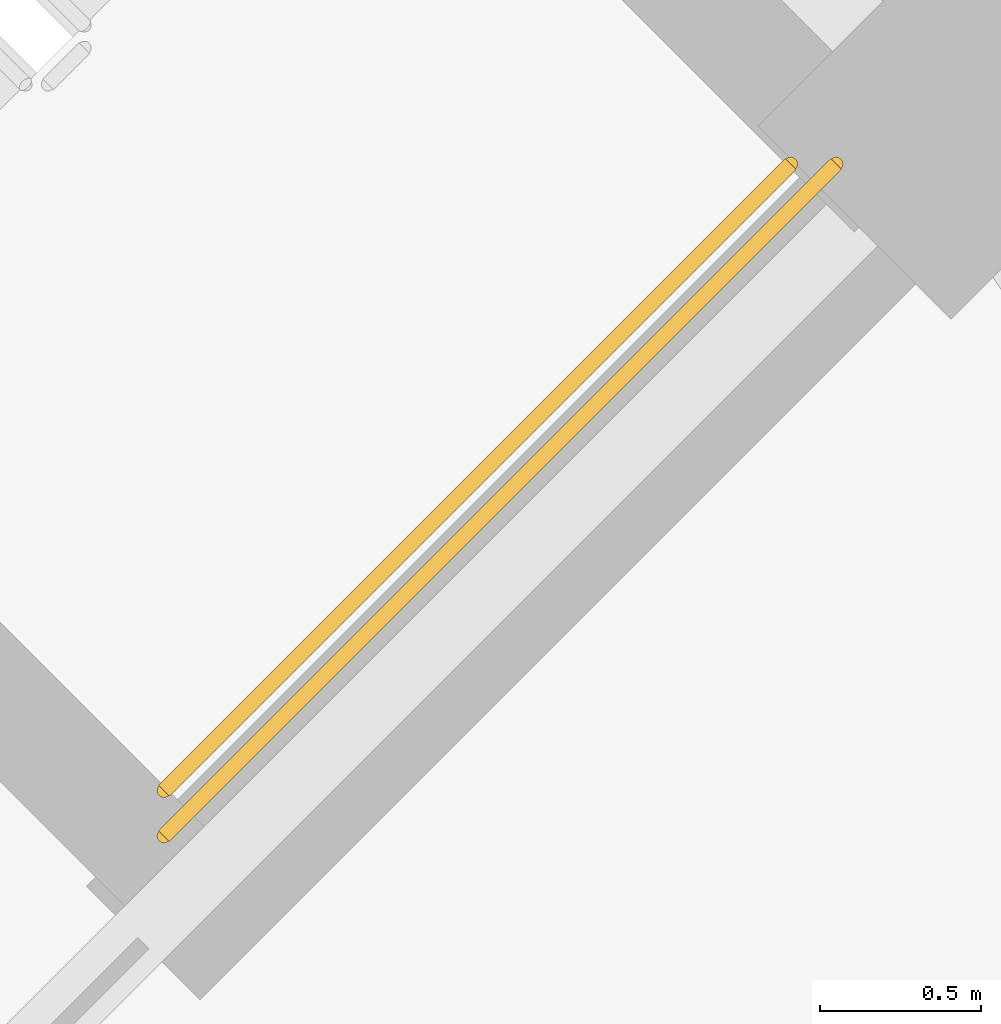
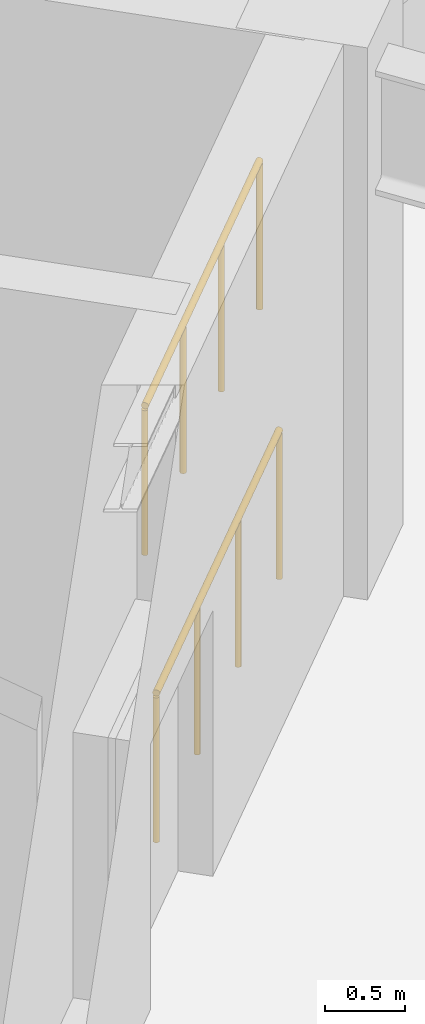
# One storey, part 20 of 20: 2 railings.
"""IFC4 building model written with IfcOpenShell, lengths in metres."""

from ifc_helpers import new_model, si_unit, direction, frame, origin, origin_2d, place, context, subcontext, project, spatial, circle, extrude, material, type_object, element, save


model = new_model("IFC4")

# Units and contexts
model_context = context("Model", 3, precision=1e-05, world=origin(), true_north=direction((0.0, 1.0)))
body_context = subcontext(model_context, "Body", "Model", "MODEL_VIEW")
ifc_project = project(units=[si_unit("LENGTHUNIT", "METRE"), si_unit("AREAUNIT", "SQUARE_METRE"), si_unit("VOLUMEUNIT", "CUBIC_METRE"), si_unit("PLANEANGLEUNIT", "RADIAN"), si_unit("MASSUNIT", "GRAM", prefix="KILO")], contexts=[model_context])

# Site, building, storey
site_placement = place(None, origin())
site = spatial("IfcSite", under=ifc_project, at=site_placement, CompositionType="ELEMENT")
building_placement = place(site_placement, origin())
building = spatial("IfcBuilding", under=site, at=building_placement, Name="Cununo Teusaquillo Station Towers", CompositionType="ELEMENT")
storey_placement = place(building_placement, frame((0.0, 0.0, 4.800048828125)))
storey = spatial("IfcBuildingStorey", under=building, at=storey_placement, Name="L01", CompositionType="ELEMENT", Elevation=4.800048828125)

# Railings
ifc_material = material(Name="Steel EN 10025-2 S355J2", Category="steel")
railing_type = type_object("IfcRailingType", Name="RL-INT-GUARD", PredefinedType="GUARDRAIL", material=ifc_material)
railing_1_placement = place(storey_placement, frame((63.573974609375, 21.22607421875, 2.099853515625)))
element("IfcRailing", 1, at=railing_1_placement, inside=storey, type_object=railing_type, Name="L01 ST-T2-2 stair guard 3", PredefinedType="GUARDRAIL", context=body_context, shape_type="SweptSolid", body=[
    extrude(circle(Radius=0.02392578125, at=origin_2d()), frame((0.0, 0.0, 1.1259765625), z_axis=(0.707106781187, 0.707106781187, 0.0), x_axis=(-0.707106781187, 0.707106781187, 0.0)), (0.0, 0.0, 1.0), 2.760009765625),
    extrude(circle(Radius=0.02099609375, at=origin_2d()), origin(), (0.0, 0.0, 1.0), 1.101806640625),
    extrude(circle(Radius=0.02099609375, at=origin_2d()), frame((0.650634765625, 0.650634765625, 0.0)), (0.0, 0.0, 1.0), 1.101806640625),
    extrude(circle(Radius=0.02099609375, at=origin_2d()), frame((1.301025390625, 1.301025390625, 0.0)), (0.0, 0.0, 1.0), 1.101806640625),
    extrude(circle(Radius=0.02099609375, at=origin_2d()), frame((1.95166015625, 1.95166015625, 0.0)), (0.0, 0.0, 1.0), 1.101806640625),
])
railing_2_placement = place(storey_placement, frame((63.573974609375, 21.084716796875, 0.0)))
element("IfcRailing", 2, at=railing_2_placement, inside=storey, type_object=railing_type, Name="L01 ST-T2-2 stair guard 6", PredefinedType="GUARDRAIL", context=body_context, shape_type="SweptSolid", body=[
    extrude(circle(Radius=0.02392578125, at=origin_2d()), frame((0.0, 0.0, 1.1259765625), z_axis=(0.707106781187, 0.707106781187, 0.0), x_axis=(-0.707106781187, 0.707106781187, 0.0)), (0.0, 0.0, 1.0), 2.9599609375),
    extrude(circle(Radius=0.02099609375, at=origin_2d()), origin(), (0.0, 0.0, 1.0), 1.101806640625),
    extrude(circle(Radius=0.02099609375, at=origin_2d()), frame((0.69775390625, 0.69775390625, 0.0)), (0.0, 0.0, 1.0), 1.101806640625),
    extrude(circle(Radius=0.02099609375, at=origin_2d()), frame((1.395263671875, 1.395263671875, 0.0)), (0.0, 0.0, 1.0), 1.101806640625),
    extrude(circle(Radius=0.02099609375, at=origin_2d()), frame((2.093017578125, 2.093017578125, 0.0)), (0.0, 0.0, 1.0), 1.101806640625),
])

save(model, "model.ifc")
